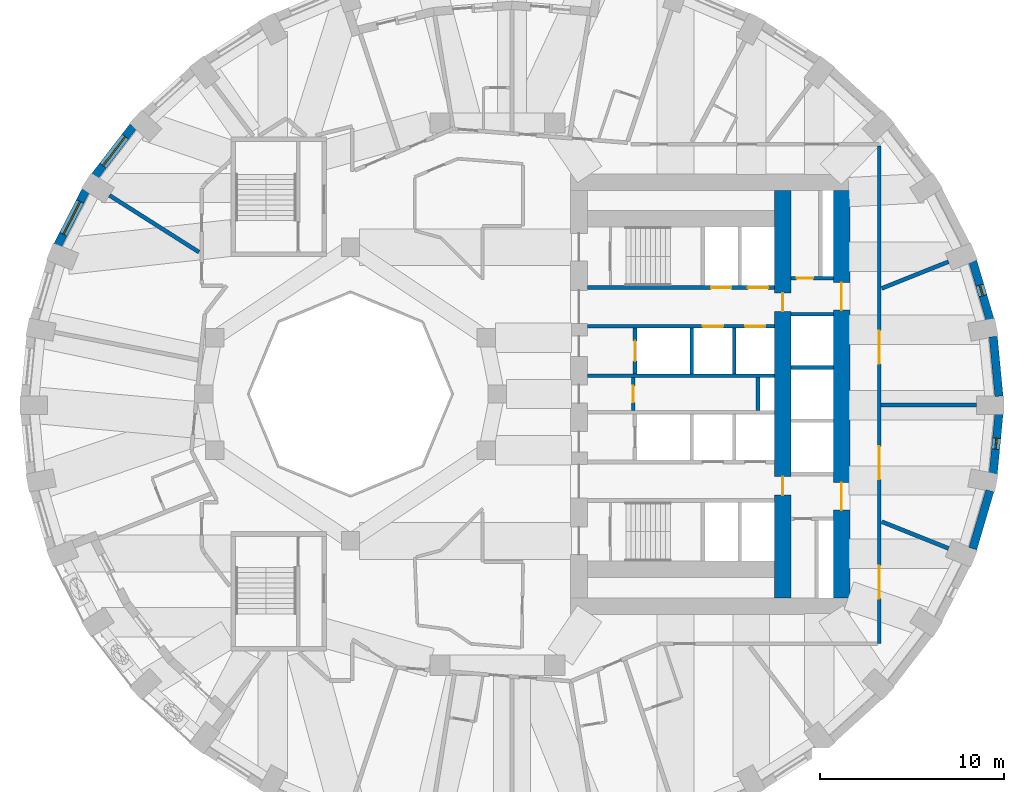
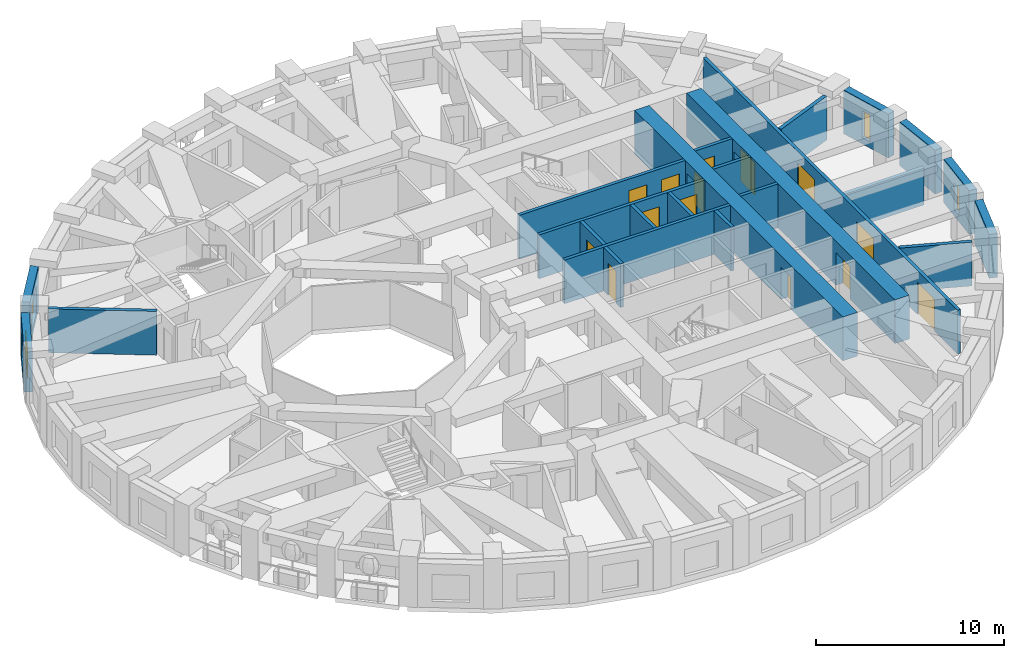
# One storey, part 6 of 12: 24 walls, 14 doors, 4 windows, 18 openings.
"""IFC4 building model written with IfcOpenShell, lengths in metres."""

from ifc_helpers import new_model, si_unit, direction, frame, frame_2d, origin, place, context, subcontext, project, spatial, rectangle, extrude, material, layer, layer_set, type_object, element, fill, save


model = new_model("IFC4")

# Units and contexts
model_context = context("Model", 3, precision=1e-05, world=origin(), true_north=direction((0.0, 1.0)))
body_context = subcontext(model_context, "Body", "Model", "MODEL_VIEW")
ifc_project = project(units=[si_unit("LENGTHUNIT", "METRE"), si_unit("AREAUNIT", "SQUARE_METRE"), si_unit("VOLUMEUNIT", "CUBIC_METRE"), si_unit("PLANEANGLEUNIT", "RADIAN"), si_unit("MASSUNIT", "GRAM", prefix="KILO")], contexts=[model_context])

# Site, building, storey
site_placement = place(None, origin())
site = spatial("IfcSite", under=ifc_project, at=site_placement, CompositionType="ELEMENT")
building_placement = place(site_placement, origin())
building = spatial("IfcBuilding", under=site, at=building_placement, Name="Taillehof Tower", CompositionType="ELEMENT")
storey_placement = place(building_placement, frame((0.0, 0.0, 131.800048828125)))
storey = spatial("IfcBuildingStorey", under=building, at=storey_placement, Name="L37", CompositionType="ELEMENT", Elevation=131.800048828125)

# Wall
ifc_material_1 = material(Name="Brick masonry", Category="masonry")
ifc_layer_1 = layer(ifc_material_1, 0.449951171875)
ifc_layer_set_1 = layer_set([ifc_layer_1], Name="Brick infill wall 450")
wall_type_1 = type_object("IfcWallType", Name="Brick infill wall 450", PredefinedType="SOLIDWALL", material=ifc_layer_set_1)
wall_1_placement = place(storey_placement, frame((27.32763671875, -0.119873046875, 0.0), z_axis=(0.0, 0.0, 1.0), x_axis=(-0.09589355735, 0.995391594127, 0.0)))
element("IfcWall", 1, at=wall_1_placement, inside=storey, type_object=wall_type_1, Name="Brick wall L37 bay 1", PredefinedType="SOLIDWALL", context=body_context, shape_type="SweptSolid", body=[
    extrude(rectangle(XDim=3.261474609375, YDim=0.449951171875, at=frame_2d((1.630859375, 0.0))), origin(), (0.0, 0.0, 1.0), 2.849853515625),
])

# Wall, opening, window
wall_2_placement = place(storey_placement, frame((26.83203125, 4.069091796875, 0.0), z_axis=(0.0, 0.0, 1.0), x_axis=(-0.283002902729, 0.959119052593, 0.0)))
wall_2 = element("IfcWall", 2, at=wall_2_placement, inside=storey, type_object=wall_type_1, Name="Brick wall L37 bay 2", PredefinedType="SOLIDWALL", context=body_context, shape_type="SweptSolid", body=[
    extrude(rectangle(XDim=3.285888671875, YDim=0.449951171875, at=frame_2d((1.64306640625, 0.0))), origin(), (0.0, 0.0, 1.0), 2.849853515625),
])
opening_1_placement = place(wall_2_placement, frame((1.343017578125, 0.0, 0.39990234375)))
opening_1 = element("IfcOpeningElement", 3, at=opening_1_placement, cuts=wall_2, Name="Opening W6", PredefinedType="OPENING", context=body_context, shape_type="SweptSolid", body=[
    extrude(rectangle(XDim=0.60009765625, YDim=1.75, at=frame_2d((0.300048828125, 0.875))), frame((0.0, 0.23486328125, 0.0), z_axis=(0.0, -1.0, 0.0), x_axis=(1.0, 0.0, 0.0)), (0.0, 0.0, 1.0), 0.469970703125),
])
ifc_material_2 = material(Name="Aluminium window frame with clear double glazing", Category="aluminium")
window_type_1 = type_object("IfcWindowType", Name="Slot window 600x1750", PartitioningType="SINGLE_PANEL", PredefinedType="WINDOW", material=ifc_material_2)
window_1_placement = place(opening_1_placement, origin())
window_1 = element("IfcWindow", 4, at=window_1_placement, inside=storey, type_object=window_type_1, Name="W6", OverallHeight=1.75, OverallWidth=0.60009765625, PartitioningType="SINGLE_PANEL", PredefinedType="WINDOW", context=body_context, shape_type="SweptSolid", body=[
    extrude(rectangle(XDim=0.60009765625, YDim=1.75, at=frame_2d((0.300048828125, 0.875))), frame((0.0, 0.034912109375, 0.0), z_axis=(0.0, -1.0, 0.0), x_axis=(1.0, 0.0, 0.0)), (0.0, 0.0, 1.0), 0.06005859375),
])
fill(opening_1, window_1)

wall_3_placement = place(storey_placement, frame((-19.835205078125, 14.575439453125, 0.0), z_axis=(0.0, 0.0, 1.0), x_axis=(-0.610693945156, -0.791866721961, 0.0)))
wall_3 = element("IfcWall", 5, at=wall_3_placement, inside=storey, type_object=wall_type_1, Name="Brick wall L37 bay 15", PredefinedType="SOLIDWALL", context=body_context, shape_type="SweptSolid", body=[
    extrude(rectangle(XDim=3.39453125, YDim=0.449951171875, at=frame_2d((1.697265625, 0.0))), origin(), (0.0, 0.0, 1.0), 2.849853515625),
])
opening_2_placement = place(wall_3_placement, frame((0.697265625, 0.0, 0.39990234375)))
opening_2 = element("IfcOpeningElement", 6, at=opening_2_placement, cuts=wall_3, Name="Opening W2", PredefinedType="OPENING", context=body_context, shape_type="SweptSolid", body=[
    extrude(rectangle(XDim=2.0, YDim=1.75, at=frame_2d((1.0, 0.875))), frame((0.0, 0.23486328125, 0.0), z_axis=(0.0, -1.0, 0.0), x_axis=(1.0, 0.0, 0.0)), (0.0, 0.0, 1.0), 0.469970703125),
])
ifc_material_3 = material(Name="Aluminium window frame with clear double glazing", Category="aluminium")
window_type_2 = type_object("IfcWindowType", Name="Deep-set window 2000x1750", PartitioningType="SINGLE_PANEL", PredefinedType="WINDOW", material=ifc_material_3)
window_2_placement = place(opening_2_placement, origin())
window_2 = element("IfcWindow", 7, at=window_2_placement, inside=storey, type_object=window_type_2, Name="W2", OverallHeight=1.75, OverallWidth=2.0, PartitioningType="SINGLE_PANEL", PredefinedType="WINDOW", context=body_context, shape_type="SweptSolid", body=[
    extrude(rectangle(XDim=2.0, YDim=1.75, at=frame_2d((1.0, 0.875))), frame((0.0, 0.034912109375, 0.0), z_axis=(0.0, -1.0, 0.0), x_axis=(1.0, 0.0, 0.0)), (0.0, 0.0, 1.0), 0.06005859375),
])
fill(opening_2, window_2)

wall_4_placement = place(storey_placement, frame((-22.4228515625, 11.076904296875, 0.0), z_axis=(0.0, 0.0, 1.0), x_axis=(-0.456828186229, -0.889554949549, 0.0)))
wall_4 = element("IfcWall", 8, at=wall_4_placement, inside=storey, type_object=wall_type_1, Name="Brick wall L37 bay 16", PredefinedType="SOLIDWALL", context=body_context, shape_type="SweptSolid", body=[
    extrude(rectangle(XDim=3.332763671875, YDim=0.449951171875, at=frame_2d((1.66650390625, 0.0))), origin(), (0.0, 0.0, 1.0), 2.849853515625),
])
opening_3_placement = place(wall_4_placement, frame((0.666259765625, 0.0, 0.39990234375)))
opening_3 = element("IfcOpeningElement", 9, at=opening_3_placement, cuts=wall_4, Name="Opening W2", PredefinedType="OPENING", context=body_context, shape_type="SweptSolid", body=[
    extrude(rectangle(XDim=2.0, YDim=1.75, at=frame_2d((1.0, 0.875))), frame((0.0, 0.23486328125, 0.0), z_axis=(0.0, -1.0, 0.0), x_axis=(1.0, 0.0, 0.0)), (0.0, 0.0, 1.0), 0.469970703125),
])
window_3_placement = place(opening_3_placement, origin())
window_3 = element("IfcWindow", 10, at=window_3_placement, inside=storey, type_object=window_type_2, Name="W2", OverallHeight=1.75, OverallWidth=2.0, PartitioningType="SINGLE_PANEL", PredefinedType="WINDOW", context=body_context, shape_type="SweptSolid", body=[
    extrude(rectangle(XDim=2.0, YDim=1.75, at=frame_2d((1.0, 0.875))), frame((0.0, 0.034912109375, 0.0), z_axis=(0.0, -1.0, 0.0), x_axis=(1.0, 0.0, 0.0)), (0.0, 0.0, 1.0), 0.06005859375),
])
fill(opening_3, window_3)

# Wall
wall_5_placement = place(storey_placement, frame((25.902099609375, -8.4208984375, 0.0), z_axis=(0.0, 0.0, 1.0), x_axis=(0.282982737009, 0.95912500257, 0.0)))
element("IfcWall", 11, at=wall_5_placement, inside=storey, type_object=wall_type_1, Name="Brick wall L37 bay 35", PredefinedType="SOLIDWALL", context=body_context, shape_type="SweptSolid", body=[
    extrude(rectangle(XDim=3.2861328125, YDim=0.449951171875, at=frame_2d((1.64306640625, 0.0))), origin(), (0.0, 0.0, 1.0), 2.849853515625),
])

# Wall, opening, window
wall_6_placement = place(storey_placement, frame((27.014892578125, -4.326416015625, 0.0), z_axis=(0.0, 0.0, 1.0), x_axis=(0.09589355735, 0.995391594127, 0.0)))
wall_6 = element("IfcWall", 12, at=wall_6_placement, inside=storey, type_object=wall_type_1, Name="Brick wall L37 bay 36", PredefinedType="SOLIDWALL", context=body_context, shape_type="SweptSolid", body=[
    extrude(rectangle(XDim=3.261474609375, YDim=0.449951171875, at=frame_2d((1.630859375, 0.0))), origin(), (0.0, 0.0, 1.0), 2.849853515625),
])
opening_4_placement = place(wall_6_placement, frame((1.33056640625, 0.0, 0.39990234375)))
opening_4 = element("IfcOpeningElement", 13, at=opening_4_placement, cuts=wall_6, Name="Opening W6", PredefinedType="OPENING", context=body_context, shape_type="SweptSolid", body=[
    extrude(rectangle(XDim=0.60009765625, YDim=1.75, at=frame_2d((0.300048828125, 0.875))), frame((0.0, 0.23486328125, 0.0), z_axis=(0.0, -1.0, 0.0), x_axis=(1.0, 0.0, 0.0)), (0.0, 0.0, 1.0), 0.469970703125),
])
window_4_placement = place(opening_4_placement, origin())
window_4 = element("IfcWindow", 14, at=window_4_placement, inside=storey, type_object=window_type_1, Name="W6", OverallHeight=1.75, OverallWidth=0.60009765625, PartitioningType="SINGLE_PANEL", PredefinedType="WINDOW", context=body_context, shape_type="SweptSolid", body=[
    extrude(rectangle(XDim=0.60009765625, YDim=1.75, at=frame_2d((0.300048828125, 0.875))), frame((0.0, 0.034912109375, 0.0), z_axis=(0.0, -1.0, 0.0), x_axis=(1.0, 0.0, 0.0)), (0.0, 0.0, 1.0), 0.06005859375),
])
fill(opening_4, window_4)

# Wall, opening, door
ifc_material_4 = material(Name="Calcium silicate masonry", Category="masonry")
ifc_layer_2 = layer(ifc_material_4, 0.199951171875)
ifc_layer_set_2 = layer_set([ifc_layer_2], Name="Compartment wall calcium silicate 200")
wall_type_2 = type_object("IfcWallType", Name="Compartment wall calcium silicate 200", PredefinedType="PARTITIONING", material=ifc_layer_set_2)
wall_7_placement = place(storey_placement, frame((7.39990234375, -0.89990234375, 0.0), z_axis=(0.0, 0.0, 1.0), x_axis=(0.0, 1.0, 0.0)))
wall_7 = element("IfcWall", 15, at=wall_7_placement, inside=storey, type_object=wall_type_2, Name="Compartment wall FW", PredefinedType="PARTITIONING", context=body_context, shape_type="SweptSolid", body=[
    extrude(rectangle(XDim=1.7998046875, YDim=0.199951171875, at=frame_2d((0.89990234375, 0.0))), origin(), (0.0, 0.0, 1.0), 2.849853515625),
])
opening_5_placement = place(wall_7_placement, frame((0.449951171875, 0.0, 0.0)))
opening_5 = element("IfcOpeningElement", 16, at=opening_5_placement, cuts=wall_7, Name="Opening D3714", PredefinedType="OPENING", context=body_context, shape_type="SweptSolid", body=[
    extrude(rectangle(XDim=0.89990234375, YDim=2.10009765625, at=frame_2d((0.449951171875, 1.050048828125))), frame((0.0, 0.10986328125, 0.0), z_axis=(0.0, -1.0, 0.0), x_axis=(1.0, 0.0, 0.0)), (0.0, 0.0, 1.0), 0.219970703125),
])
ifc_material_5 = material(Name="Steel-faced fire door", Category="steel")
door_type_1 = type_object("IfcDoorType", Name="Riser and service room door 900x2100", OperationType="SINGLE_SWING_LEFT", PredefinedType="DOOR", material=ifc_material_5)
door_1_placement = place(opening_5_placement, origin())
door_1 = element("IfcDoor", 17, at=door_1_placement, inside=storey, type_object=door_type_1, Name="Door Staff Pantry", OperationType="SINGLE_SWING_RIGHT", OverallHeight=2.10009765625, OverallWidth=0.89990234375, PredefinedType="DOOR", context=body_context, shape_type="SweptSolid", body=[
    extrude(rectangle(XDim=0.89990234375, YDim=2.10009765625, at=frame_2d((0.449951171875, 1.050048828125))), frame((0.0, 0.02490234375, 0.0), z_axis=(0.0, -1.0, 0.0), x_axis=(1.0, 0.0, 0.0)), (0.0, 0.0, 1.0), 0.050048828125),
])
fill(opening_5, door_1)

# Wall
wall_8_placement = place(storey_placement, frame((14.199951171875, -0.89990234375, 0.0), z_axis=(0.0, 0.0, 1.0), x_axis=(0.0, 1.0, 0.0)))
element("IfcWall", 18, at=wall_8_placement, inside=storey, type_object=wall_type_2, Name="Compartment wall FW", PredefinedType="PARTITIONING", context=body_context, shape_type="SweptSolid", body=[
    extrude(rectangle(XDim=1.7998046875, YDim=0.199951171875, at=frame_2d((0.89990234375, 0.0))), origin(), (0.0, 0.0, 1.0), 2.849853515625),
])

# Wall, opening, door
wall_9_placement = place(storey_placement, frame((16.0, 6.300048828125, 0.0), z_axis=(0.0, 0.0, 1.0), x_axis=(1.0, 0.0, 0.0)))
wall_9 = element("IfcWall", 19, at=wall_9_placement, inside=storey, type_object=wall_type_2, Name="Compartment wall FW", PredefinedType="PARTITIONING", context=body_context, shape_type="SweptSolid", body=[
    extrude(rectangle(XDim=2.300048828125, YDim=0.199951171875, at=frame_2d((1.14990234375, 0.0))), origin(), (0.0, 0.0, 1.0), 2.849853515625),
])
opening_6_placement = place(wall_9_placement, frame((0.300048828125, 0.0, 0.0)))
opening_6 = element("IfcOpeningElement", 20, at=opening_6_placement, cuts=wall_9, Name="Opening D3716", PredefinedType="OPENING", context=body_context, shape_type="SweptSolid", body=[
    extrude(rectangle(XDim=0.89990234375, YDim=2.10009765625, at=frame_2d((0.449951171875, 1.050048828125))), frame((0.0, 0.10986328125, 0.0), z_axis=(0.0, -1.0, 0.0), x_axis=(1.0, 0.0, 0.0)), (0.0, 0.0, 1.0), 0.219970703125),
])
door_2_placement = place(opening_6_placement, origin())
door_2 = element("IfcDoor", 21, at=door_2_placement, inside=storey, type_object=door_type_1, Name="Door Linen Store", OperationType="SINGLE_SWING_RIGHT", OverallHeight=2.10009765625, OverallWidth=0.89990234375, PredefinedType="DOOR", context=body_context, shape_type="SweptSolid", body=[
    extrude(rectangle(XDim=0.89990234375, YDim=2.10009765625, at=frame_2d((0.449951171875, 1.050048828125))), frame((0.0, 0.02490234375, 0.0), z_axis=(0.0, -1.0, 0.0), x_axis=(1.0, 0.0, 0.0)), (0.0, 0.0, 1.0), 0.050048828125),
])
fill(opening_6, door_2)

# Wall, openings, doors
ifc_material_6 = material(Name="Gypsum board on steel studs, two layers each side", Category="steel")
ifc_layer_3 = layer(ifc_material_6, 0.199951171875)
ifc_layer_set_3 = layer_set([ifc_layer_3], Name="Compartment wall corridor 200")
wall_type_3 = type_object("IfcWallType", Name="Compartment wall corridor 200", PredefinedType="PARTITIONING", material=ifc_layer_set_3)
wall_10_placement = place(storey_placement, frame((20.800048828125, 13.5, 0.0), z_axis=(0.0, 0.0, 1.0), x_axis=(0.0, -1.0, 0.0)))
wall_10 = element("IfcWall", 22, at=wall_10_placement, inside=storey, type_object=wall_type_3, Name="Compartment wall", PredefinedType="PARTITIONING", context=body_context, shape_type="SweptSolid", body=[
    extrude(rectangle(XDim=27.10009765625, YDim=0.199951171875, at=frame_2d((13.550048828125, 0.0))), origin(), (0.0, 0.0, 1.0), 2.849853515625),
])
opening_7_placement = place(wall_10_placement, frame((22.84375, 0.0, 0.0)))
opening_7 = element("IfcOpeningElement", 23, at=opening_7_placement, cuts=wall_10, Name="Opening D3764", PredefinedType="OPENING", context=body_context, shape_type="SweptSolid", body=[
    extrude(rectangle(XDim=1.800048828125, YDim=2.10009765625, at=frame_2d((0.89990234375, 1.050048828125))), frame((0.0, 0.10986328125, 0.0), z_axis=(0.0, -1.0, 0.0), x_axis=(1.0, 0.0, 0.0)), (0.0, 0.0, 1.0), 0.219970703125),
])
opening_8_placement = place(wall_10_placement, frame((16.349609375, 0.0, 0.0)))
opening_8 = element("IfcOpeningElement", 24, at=opening_8_placement, cuts=wall_10, Name="Opening D3765", PredefinedType="OPENING", context=body_context, shape_type="SweptSolid", body=[
    extrude(rectangle(XDim=1.800048828125, YDim=2.10009765625, at=frame_2d((0.89990234375, 1.050048828125))), frame((0.0, 0.10986328125, 0.0), z_axis=(0.0, -1.0, 0.0), x_axis=(1.0, 0.0, 0.0)), (0.0, 0.0, 1.0), 0.219970703125),
])
opening_9_placement = place(wall_10_placement, frame((10.050537109375, 0.0, 0.0)))
opening_9 = element("IfcOpeningElement", 25, at=opening_9_placement, cuts=wall_10, Name="Opening D3766", PredefinedType="OPENING", context=body_context, shape_type="SweptSolid", body=[
    extrude(rectangle(XDim=1.800048828125, YDim=2.10009765625, at=frame_2d((0.89990234375, 1.050048828125))), frame((0.0, 0.10986328125, 0.0), z_axis=(0.0, -1.0, 0.0), x_axis=(1.0, 0.0, 0.0)), (0.0, 0.0, 1.0), 0.219970703125),
])
ifc_material_7 = material(Name="Timber door leaf in steel frame", Category="steel")
door_type_2 = type_object("IfcDoorType", Name="Lounge and meeting room double door EI 30 1800 x 2100", OperationType="SINGLE_SWING_LEFT", PredefinedType="DOOR", material=ifc_material_7)
door_3_placement = place(opening_7_placement, origin())
door_3 = element("IfcDoor", 26, at=door_3_placement, inside=storey, type_object=door_type_2, Name="D3764", OperationType="DOUBLE_DOOR_SINGLE_SWING", OverallHeight=2.10009765625, OverallWidth=1.800048828125, PredefinedType="DOOR", context=body_context, shape_type="SweptSolid", body=[
    extrude(rectangle(XDim=1.800048828125, YDim=2.10009765625, at=frame_2d((0.89990234375, 1.050048828125))), frame((0.0, 0.02490234375, 0.0), z_axis=(0.0, -1.0, 0.0), x_axis=(1.0, 0.0, 0.0)), (0.0, 0.0, 1.0), 0.050048828125),
])
fill(opening_7, door_3)
door_4_placement = place(opening_8_placement, origin())
door_4 = element("IfcDoor", 27, at=door_4_placement, inside=storey, type_object=door_type_2, Name="D3765", OperationType="DOUBLE_DOOR_SINGLE_SWING", OverallHeight=2.10009765625, OverallWidth=1.800048828125, PredefinedType="DOOR", context=body_context, shape_type="SweptSolid", body=[
    extrude(rectangle(XDim=1.800048828125, YDim=2.10009765625, at=frame_2d((0.89990234375, 1.050048828125))), frame((0.0, 0.02490234375, 0.0), z_axis=(0.0, -1.0, 0.0), x_axis=(1.0, 0.0, 0.0)), (0.0, 0.0, 1.0), 0.050048828125),
])
fill(opening_8, door_4)
door_5_placement = place(opening_9_placement, origin())
door_5 = element("IfcDoor", 28, at=door_5_placement, inside=storey, type_object=door_type_2, Name="D3766", OperationType="DOUBLE_DOOR_SINGLE_SWING", OverallHeight=2.10009765625, OverallWidth=1.800048828125, PredefinedType="DOOR", context=body_context, shape_type="SweptSolid", body=[
    extrude(rectangle(XDim=1.800048828125, YDim=2.10009765625, at=frame_2d((0.89990234375, 1.050048828125))), frame((0.0, 0.02490234375, 0.0), z_axis=(0.0, -1.0, 0.0), x_axis=(1.0, 0.0, 0.0)), (0.0, 0.0, 1.0), 0.050048828125),
])
fill(opening_9, door_5)

# Walls
ifc_material_8 = material(Name="Gypsum board on double steel studs with mineral wool", Category="steel")
ifc_layer_4 = layer(ifc_material_8, 0.219970703125)
ifc_layer_set_4 = layer_set([ifc_layer_4], Name="Compartment wall guest room 220")
wall_type_4 = type_object("IfcWallType", Name="Compartment wall guest room 220", PredefinedType="PARTITIONING", material=ifc_layer_set_4)
wall_11_placement = place(storey_placement, frame((26.10009765625, -0.60009765625, 0.0), z_axis=(0.0, 0.0, 1.0), x_axis=(-1.0, 0.0, 0.0)))
element("IfcWall", 29, at=wall_11_placement, inside=storey, type_object=wall_type_4, Name="Compartment wall", PredefinedType="PARTITIONING", context=body_context, shape_type="SweptSolid", body=[
    extrude(rectangle(XDim=5.199951171875, YDim=0.219970703125, at=frame_2d((2.60009765625, 0.0))), origin(), (0.0, 0.0, 1.0), 2.39990234375),
])
wall_12_placement = place(storey_placement, frame((24.58251953125, 7.21044921875, 0.0), z_axis=(0.0, 0.0, 1.0), x_axis=(-0.928528147853, -0.371262008083, 0.0)))
element("IfcWall", 30, at=wall_12_placement, inside=storey, type_object=wall_type_4, Name="Compartment wall", PredefinedType="PARTITIONING", context=body_context, shape_type="SweptSolid", body=[
    extrude(rectangle(XDim=3.92578125, YDim=0.219970703125, at=frame_2d((1.962890625, 0.0))), origin(), (0.0, 0.0, 1.0), 2.849853515625),
])
wall_13_placement = place(storey_placement, frame((-21.12646484375, 10.8232421875, 0.0), z_axis=(0.0, 0.0, 1.0), x_axis=(0.844518840625, -0.535525842355, 0.0)))
element("IfcWall", 31, at=wall_13_placement, inside=storey, type_object=wall_type_4, Name="Compartment wall", PredefinedType="PARTITIONING", context=body_context, shape_type="SweptSolid", body=[
    extrude(rectangle(XDim=5.7734375, YDim=0.219970703125, at=frame_2d((2.88671875, 0.0))), origin(), (0.0, 0.0, 1.0), 2.849853515625),
])
wall_14_placement = place(storey_placement, frame((24.58251953125, -8.410400390625, 0.0), z_axis=(0.0, 0.0, 1.0), x_axis=(-0.928528147853, 0.371262008083, 0.0)))
element("IfcWall", 32, at=wall_14_placement, inside=storey, type_object=wall_type_4, Name="Compartment wall", PredefinedType="PARTITIONING", context=body_context, shape_type="SweptSolid", body=[
    extrude(rectangle(XDim=3.92578125, YDim=0.219970703125, at=frame_2d((1.962890625, 0.0))), origin(), (0.0, 0.0, 1.0), 2.849853515625),
])

# Wall, openings, doors
ifc_material_9 = material(Name="Concrete C80/95", Category="concrete")
ifc_layer_5 = layer(ifc_material_9, 0.89990234375)
ifc_layer_set_5 = layer_set([ifc_layer_5], Name="Core wall C80/95 900")
wall_type_5 = type_object("IfcWallType", Name="Core wall C80/95 900", PredefinedType="SHEAR", material=ifc_layer_set_5)
wall_15_placement = place(storey_placement, frame((18.75, -11.10009765625, 0.0), z_axis=(0.0, 0.0, 1.0), x_axis=(0.0, 1.0, 0.0)))
wall_15 = element("IfcWall", 33, at=wall_15_placement, inside=storey, type_object=wall_type_5, Name="Core wall CW02", PredefinedType="SHEAR", context=body_context, shape_type="SweptSolid", body=[
    extrude(rectangle(XDim=22.2001953125, YDim=0.89990234375, at=frame_2d((11.10009765625, 0.0))), origin(), (0.0, 0.0, 1.0), 2.849853515625),
])
opening_10_placement = place(wall_15_placement, frame((15.675048828125, 0.0, 0.0)))
opening_10 = element("IfcOpeningElement", 34, at=opening_10_placement, cuts=wall_15, Name="Opening D3708", PredefinedType="OPENING", context=body_context, shape_type="SweptSolid", body=[
    extrude(rectangle(XDim=1.5, YDim=2.10009765625, at=frame_2d((0.75, 1.050048828125))), frame((0.0, 0.4599609375, 0.0), z_axis=(0.0, -1.0, 0.0), x_axis=(1.0, 0.0, 0.0)), (0.0, 0.0, 1.0), 0.919921875),
])
opening_11_placement = place(wall_15_placement, frame((4.77490234375, 0.0, 0.0)))
opening_11 = element("IfcOpeningElement", 35, at=opening_11_placement, cuts=wall_15, Name="Opening D3709", PredefinedType="OPENING", context=body_context, shape_type="SweptSolid", body=[
    extrude(rectangle(XDim=1.5, YDim=2.10009765625, at=frame_2d((0.75, 1.050048828125))), frame((0.0, 0.4599609375, 0.0), z_axis=(0.0, -1.0, 0.0), x_axis=(1.0, 0.0, 0.0)), (0.0, 0.0, 1.0), 0.919921875),
])
ifc_material_10 = material(Name="Steel-faced fire door", Category="steel")
door_type_3 = type_object("IfcDoorType", Name="Lift lobby east door 1500x2100", OperationType="DOUBLE_DOOR_SINGLE_SWING", PredefinedType="DOOR", material=ifc_material_10)
door_6_placement = place(opening_10_placement, origin())
door_6 = element("IfcDoor", 36, at=door_6_placement, inside=storey, type_object=door_type_3, Name="Lift lobby east door north", OperationType="DOUBLE_DOOR_SINGLE_SWING", OverallHeight=2.10009765625, OverallWidth=1.5, PredefinedType="DOOR", context=body_context, shape_type="SweptSolid", body=[
    extrude(rectangle(XDim=1.5, YDim=2.10009765625, at=frame_2d((0.75, 1.050048828125))), frame((0.0, 0.02490234375, 0.0), z_axis=(0.0, -1.0, 0.0), x_axis=(1.0, 0.0, 0.0)), (0.0, 0.0, 1.0), 0.050048828125),
])
fill(opening_10, door_6)
door_7_placement = place(opening_11_placement, origin())
door_7 = element("IfcDoor", 37, at=door_7_placement, inside=storey, type_object=door_type_3, Name="Lift lobby east door south", OperationType="DOUBLE_DOOR_SINGLE_SWING", OverallHeight=2.10009765625, OverallWidth=1.5, PredefinedType="DOOR", context=body_context, shape_type="SweptSolid", body=[
    extrude(rectangle(XDim=1.5, YDim=2.10009765625, at=frame_2d((0.75, 1.050048828125))), frame((0.0, 0.02490234375, 0.0), z_axis=(0.0, -1.0, 0.0), x_axis=(1.0, 0.0, 0.0)), (0.0, 0.0, 1.0), 0.050048828125),
])
fill(opening_11, door_7)

wall_16_placement = place(storey_placement, frame((15.550048828125, -11.10009765625, 0.0), z_axis=(0.0, 0.0, 1.0), x_axis=(0.0, 1.0, 0.0)))
wall_16 = element("IfcWall", 38, at=wall_16_placement, inside=storey, type_object=wall_type_5, Name="Core wall CW05", PredefinedType="SHEAR", context=body_context, shape_type="SweptSolid", body=[
    extrude(rectangle(XDim=22.2001953125, YDim=0.89990234375, at=frame_2d((11.10009765625, 0.0))), origin(), (0.0, 0.0, 1.0), 2.849853515625),
])
opening_12_placement = place(wall_16_placement, frame((15.60009765625, 0.0, 0.0)))
opening_12 = element("IfcOpeningElement", 39, at=opening_12_placement, cuts=wall_16, Name="Opening D3715", PredefinedType="OPENING", context=body_context, shape_type="SweptSolid", body=[
    extrude(rectangle(XDim=1.0, YDim=2.10009765625, at=frame_2d((0.5, 1.050048828125))), frame((0.0, 0.4599609375, 0.0), z_axis=(0.0, -1.0, 0.0), x_axis=(1.0, 0.0, 0.0)), (0.0, 0.0, 1.0), 0.919921875),
])
opening_13_placement = place(wall_16_placement, frame((5.60009765625, 0.0, 0.0)))
opening_13 = element("IfcOpeningElement", 40, at=opening_13_placement, cuts=wall_16, Name="Opening D3717", PredefinedType="OPENING", context=body_context, shape_type="SweptSolid", body=[
    extrude(rectangle(XDim=1.0, YDim=2.10009765625, at=frame_2d((0.5, 1.050048828125))), frame((0.0, 0.4599609375, 0.0), z_axis=(0.0, -1.0, 0.0), x_axis=(1.0, 0.0, 0.0)), (0.0, 0.0, 1.0), 0.919921875),
])
ifc_material_11 = material(Name="Steel-faced fire door", Category="steel")
door_type_4 = type_object("IfcDoorType", Name="Service door 1000x2100", OperationType="SINGLE_SWING_RIGHT", PredefinedType="DOOR", material=ifc_material_11)
door_8_placement = place(opening_12_placement, origin())
door_8 = element("IfcDoor", 41, at=door_8_placement, inside=storey, type_object=door_type_4, Name="Service door strip", OperationType="SINGLE_SWING_RIGHT", OverallHeight=2.10009765625, OverallWidth=1.0, PredefinedType="DOOR", context=body_context, shape_type="SweptSolid", body=[
    extrude(rectangle(XDim=1.0, YDim=2.10009765625, at=frame_2d((0.5, 1.050048828125))), frame((0.0, 0.02490234375, 0.0), z_axis=(0.0, -1.0, 0.0), x_axis=(1.0, 0.0, 0.0)), (0.0, 0.0, 1.0), 0.050048828125),
])
fill(opening_12, door_8)
door_9_placement = place(opening_13_placement, origin())
door_9 = element("IfcDoor", 42, at=door_9_placement, inside=storey, type_object=door_type_4, Name="Service door strip", OperationType="SINGLE_SWING_LEFT", OverallHeight=2.10009765625, OverallWidth=1.0, PredefinedType="DOOR", context=body_context, shape_type="SweptSolid", body=[
    extrude(rectangle(XDim=1.0, YDim=2.10009765625, at=frame_2d((0.5, 1.050048828125))), frame((0.0, 0.02490234375, 0.0), z_axis=(0.0, -1.0, 0.0), x_axis=(1.0, 0.0, 0.0)), (0.0, 0.0, 1.0), 0.050048828125),
])
fill(opening_13, door_9)

ifc_material_12 = material(Name="Concrete C50/60", Category="concrete")
ifc_layer_6 = layer(ifc_material_12, 0.199951171875)
ifc_layer_set_6 = layer_set([ifc_layer_6], Name="Shaft wall C50/60 200")
wall_type_6 = type_object("IfcWallType", Name="Shaft wall C50/60 200", PredefinedType="SHEAR", material=ifc_layer_set_6)
wall_17_placement = place(storey_placement, frame((4.89990234375, 5.800048828125, 0.0), z_axis=(0.0, 0.0, 1.0), x_axis=(1.0, 0.0, 0.0)))
wall_17 = element("IfcWall", 43, at=wall_17_placement, inside=storey, type_object=wall_type_6, Name="Shaft wall SW", PredefinedType="SHEAR", context=body_context, shape_type="SweptSolid", body=[
    extrude(rectangle(XDim=10.2001953125, YDim=0.199951171875, at=frame_2d((5.10009765625, 0.0))), origin(), (0.0, 0.0, 1.0), 2.849853515625),
])
opening_14_placement = place(wall_17_placement, frame((6.75, 0.0, 0.0)))
opening_14 = element("IfcOpeningElement", 44, at=opening_14_placement, cuts=wall_17, Name="Opening LD1", PredefinedType="OPENING", context=body_context, shape_type="SweptSolid", body=[
    extrude(rectangle(XDim=1.10009765625, YDim=2.10009765625, at=frame_2d((0.550048828125, 1.050048828125))), frame((0.0, 0.10986328125, 0.0), z_axis=(0.0, -1.0, 0.0), x_axis=(1.0, 0.0, 0.0)), (0.0, 0.0, 1.0), 0.219970703125),
])
opening_15_placement = place(wall_17_placement, frame((8.75, 0.0, 0.0)))
opening_15 = element("IfcOpeningElement", 45, at=opening_15_placement, cuts=wall_17, Name="Opening LD1", PredefinedType="OPENING", context=body_context, shape_type="SweptSolid", body=[
    extrude(rectangle(XDim=1.10009765625, YDim=2.10009765625, at=frame_2d((0.550048828125, 1.050048828125))), frame((0.0, 0.10986328125, 0.0), z_axis=(0.0, -1.0, 0.0), x_axis=(1.0, 0.0, 0.0)), (0.0, 0.0, 1.0), 0.219970703125),
])
ifc_material_13 = material(Name="Stainless steel", Category="steel")
door_type_5 = type_object("IfcDoorType", Name="Lift landing door LD1 1100x2100", OperationType="DOUBLE_DOOR_SLIDING", PredefinedType="DOOR", material=ifc_material_13)
door_10_placement = place(opening_14_placement, origin())
door_10 = element("IfcDoor", 46, at=door_10_placement, inside=storey, type_object=door_type_5, Name="Landing door LR1", OperationType="DOUBLE_DOOR_SLIDING", OverallHeight=2.10009765625, OverallWidth=1.10009765625, PredefinedType="DOOR", context=body_context, shape_type="SweptSolid", body=[
    extrude(rectangle(XDim=1.10009765625, YDim=2.10009765625, at=frame_2d((0.550048828125, 1.050048828125))), frame((0.0, 0.02490234375, 0.0), z_axis=(0.0, -1.0, 0.0), x_axis=(1.0, 0.0, 0.0)), (0.0, 0.0, 1.0), 0.050048828125),
])
fill(opening_14, door_10)
door_11_placement = place(opening_15_placement, origin())
door_11 = element("IfcDoor", 47, at=door_11_placement, inside=storey, type_object=door_type_5, Name="Landing door LR2", OperationType="DOUBLE_DOOR_SLIDING", OverallHeight=2.10009765625, OverallWidth=1.10009765625, PredefinedType="DOOR", context=body_context, shape_type="SweptSolid", body=[
    extrude(rectangle(XDim=1.10009765625, YDim=2.10009765625, at=frame_2d((0.550048828125, 1.050048828125))), frame((0.0, 0.02490234375, 0.0), z_axis=(0.0, -1.0, 0.0), x_axis=(1.0, 0.0, 0.0)), (0.0, 0.0, 1.0), 0.050048828125),
])
fill(opening_15, door_11)

wall_18_placement = place(storey_placement, frame((4.89990234375, 3.699951171875, 0.0), z_axis=(0.0, 0.0, 1.0), x_axis=(1.0, 0.0, 0.0)))
wall_18 = element("IfcWall", 48, at=wall_18_placement, inside=storey, type_object=wall_type_6, Name="Shaft wall SW", PredefinedType="SHEAR", context=body_context, shape_type="SweptSolid", body=[
    extrude(rectangle(XDim=10.2001953125, YDim=0.199951171875, at=frame_2d((5.10009765625, 0.0))), origin(), (0.0, 0.0, 1.0), 2.849853515625),
])
opening_16_placement = place(wall_18_placement, frame((6.300048828125, 0.0, 0.0)))
opening_16 = element("IfcOpeningElement", 49, at=opening_16_placement, cuts=wall_18, Name="Opening LD1", PredefinedType="OPENING", context=body_context, shape_type="SweptSolid", body=[
    extrude(rectangle(XDim=1.10009765625, YDim=2.10009765625, at=frame_2d((0.550048828125, 1.050048828125))), frame((0.0, 0.10986328125, 0.0), z_axis=(0.0, -1.0, 0.0), x_axis=(1.0, 0.0, 0.0)), (0.0, 0.0, 1.0), 0.219970703125),
])
opening_17_placement = place(wall_18_placement, frame((8.60009765625, 0.0, 0.0)))
opening_17 = element("IfcOpeningElement", 50, at=opening_17_placement, cuts=wall_18, Name="Opening LD1", PredefinedType="OPENING", context=body_context, shape_type="SweptSolid", body=[
    extrude(rectangle(XDim=1.10009765625, YDim=2.10009765625, at=frame_2d((0.550048828125, 1.050048828125))), frame((0.0, 0.10986328125, 0.0), z_axis=(0.0, -1.0, 0.0), x_axis=(1.0, 0.0, 0.0)), (0.0, 0.0, 1.0), 0.219970703125),
])
door_12_placement = place(opening_16_placement, origin())
door_12 = element("IfcDoor", 51, at=door_12_placement, inside=storey, type_object=door_type_5, Name="Landing door LR3", OperationType="DOUBLE_DOOR_SLIDING", OverallHeight=2.10009765625, OverallWidth=1.10009765625, PredefinedType="DOOR", context=body_context, shape_type="SweptSolid", body=[
    extrude(rectangle(XDim=1.10009765625, YDim=2.10009765625, at=frame_2d((0.550048828125, 1.050048828125))), frame((0.0, 0.02490234375, 0.0), z_axis=(0.0, -1.0, 0.0), x_axis=(1.0, 0.0, 0.0)), (0.0, 0.0, 1.0), 0.050048828125),
])
fill(opening_16, door_12)
door_13_placement = place(opening_17_placement, origin())
door_13 = element("IfcDoor", 52, at=door_13_placement, inside=storey, type_object=door_type_5, Name="Landing door LR4", OperationType="DOUBLE_DOOR_SLIDING", OverallHeight=2.10009765625, OverallWidth=1.10009765625, PredefinedType="DOOR", context=body_context, shape_type="SweptSolid", body=[
    extrude(rectangle(XDim=1.10009765625, YDim=2.10009765625, at=frame_2d((0.550048828125, 1.050048828125))), frame((0.0, 0.02490234375, 0.0), z_axis=(0.0, -1.0, 0.0), x_axis=(1.0, 0.0, 0.0)), (0.0, 0.0, 1.0), 0.050048828125),
])
fill(opening_17, door_13)

# Wall
wall_19_placement = place(storey_placement, frame((4.89990234375, 1.0, 0.0), z_axis=(0.0, 0.0, 1.0), x_axis=(1.0, 0.0, 0.0)))
element("IfcWall", 53, at=wall_19_placement, inside=storey, type_object=wall_type_6, Name="Shaft wall SW", PredefinedType="SHEAR", context=body_context, shape_type="SweptSolid", body=[
    extrude(rectangle(XDim=10.2001953125, YDim=0.199951171875, at=frame_2d((5.10009765625, 0.0))), origin(), (0.0, 0.0, 1.0), 2.849853515625),
])

# Wall, opening, door
wall_20_placement = place(storey_placement, frame((7.5, 1.10009765625, 0.0), z_axis=(0.0, 0.0, 1.0), x_axis=(0.0, 1.0, 0.0)))
wall_20 = element("IfcWall", 54, at=wall_20_placement, inside=storey, type_object=wall_type_6, Name="Shaft wall SW", PredefinedType="SHEAR", context=body_context, shape_type="SweptSolid", body=[
    extrude(rectangle(XDim=2.5, YDim=0.199951171875, at=frame_2d((1.25, 0.0))), origin(), (0.0, 0.0, 1.0), 2.849853515625),
])
opening_18_placement = place(wall_20_placement, frame((0.699951171875, 0.0, 0.0)))
opening_18 = element("IfcOpeningElement", 55, at=opening_18_placement, cuts=wall_20, Name="Opening LD1", PredefinedType="OPENING", context=body_context, shape_type="SweptSolid", body=[
    extrude(rectangle(XDim=1.10009765625, YDim=2.10009765625, at=frame_2d((0.550048828125, 1.050048828125))), frame((0.0, 0.10986328125, 0.0), z_axis=(0.0, -1.0, 0.0), x_axis=(1.0, 0.0, 0.0)), (0.0, 0.0, 1.0), 0.219970703125),
])
door_14_placement = place(opening_18_placement, origin())
door_14 = element("IfcDoor", 56, at=door_14_placement, inside=storey, type_object=door_type_5, Name="Landing door FF1", OperationType="DOUBLE_DOOR_SLIDING", OverallHeight=2.10009765625, OverallWidth=1.10009765625, PredefinedType="DOOR", context=body_context, shape_type="SweptSolid", body=[
    extrude(rectangle(XDim=1.10009765625, YDim=2.10009765625, at=frame_2d((0.550048828125, 1.050048828125))), frame((0.0, 0.02490234375, 0.0), z_axis=(0.0, -1.0, 0.0), x_axis=(1.0, 0.0, 0.0)), (0.0, 0.0, 1.0), 0.050048828125),
])
fill(opening_18, door_14)

# Walls
for number, where, z_axis, x_axis, name in (
    (57, (10.60009765625, 1.10009765625, 0.0), (0.0, 0.0, 1.0), (0.0, 1.0, 0.0), "Shaft wall SW"),
    (58, (12.89990234375, 1.10009765625, 0.0), (0.0, 0.0, 1.0), (0.0, 1.0, 0.0), "Shaft wall SW"),
):
    element("IfcWall", number, at=place(storey_placement, frame(where, z_axis=z_axis, x_axis=x_axis)), inside=storey, type_object=wall_type_6, Name=name, PredefinedType="SHEAR", context=body_context, shape_type="SweptSolid", body=[
        extrude(rectangle(XDim=2.5, YDim=0.199951171875, at=frame_2d((1.25, 0.0))), origin(), (0.0, 0.0, 1.0), 2.849853515625),
    ])
for number, where, z_axis, x_axis, name in (
    (59, (16.0, 1.449951171875, 0.0), (0.0, 0.0, 1.0), (1.0, 0.0, 0.0), "Shaft wall SW"),
    (60, (16.0, 4.35009765625, 0.0), (0.0, 0.0, 1.0), (1.0, 0.0, 0.0), "Shaft wall SW"),
):
    element("IfcWall", number, at=place(storey_placement, frame(where, z_axis=z_axis, x_axis=x_axis)), inside=storey, type_object=wall_type_6, Name=name, PredefinedType="SHEAR", context=body_context, shape_type="SweptSolid", body=[
        extrude(rectangle(XDim=2.300048828125, YDim=0.199951171875, at=frame_2d((1.14990234375, 0.0))), origin(), (0.0, 0.0, 1.0), 2.849853515625),
    ])

save(model, "model.ifc")
